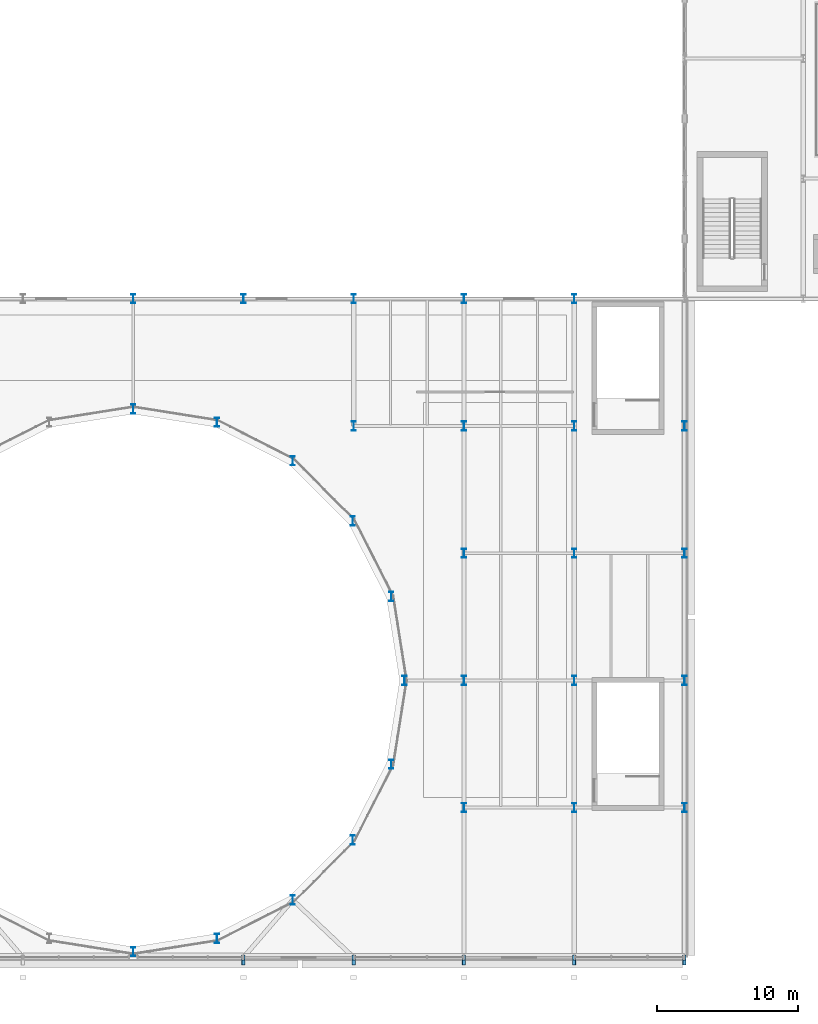
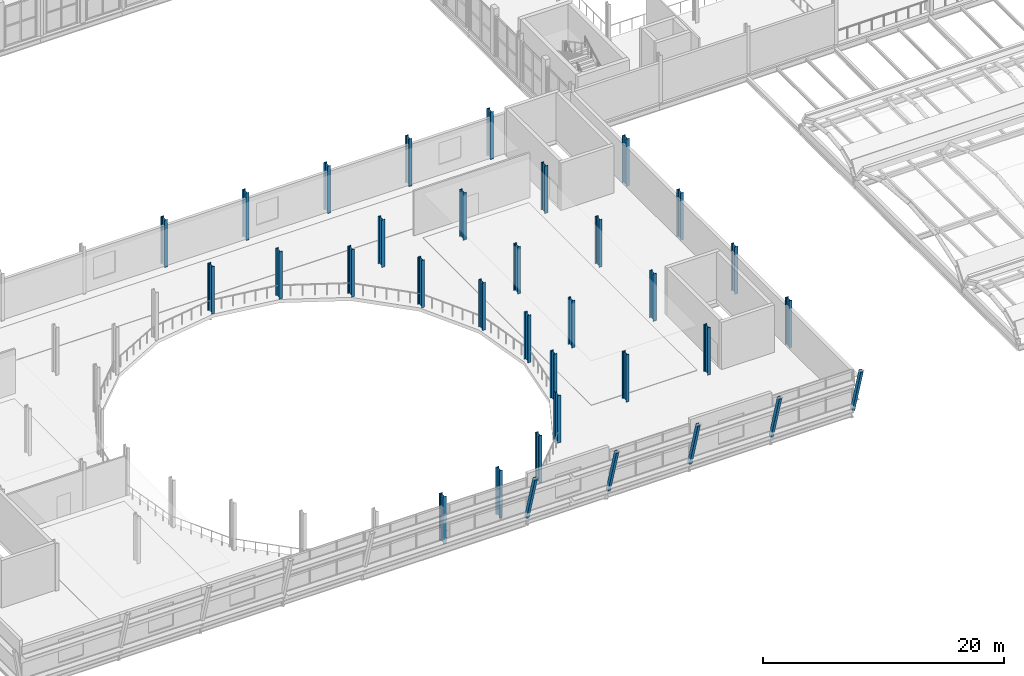
# One storey, part 4 of 63: 34 columns.
"""IFC4 building model written with IfcOpenShell, lengths in metres."""

import ifcopenshell
import ifcopenshell.guid

model = None  # the IFC model being written
_history = None  # IfcOwnerHistory: only IFC2X3 demands one
_inside = {}  # id of a spatial element -> (the spatial element, [elements in it])
_under = {}  # id of a project, library or spatial element -> (it, [spatial elements below it])
_declared = {}  # id of a project -> (the project, [libraries it declares])
_typed = {}  # id of a type object -> (the type object, [elements of that type])
_made_of = {}  # id of a material, layer set ... -> (it, [elements and type objects made of it])


def new_model(schema):
    """Start an empty IFC model of exactly this schema.

    Asked for "IFC4X3", IfcOpenShell would pick the latest addendum, in which some entities
    have other attributes; the version numbers below select the first issue.
    IFC2X3 requires an IfcOwnerHistory on every rooted entity: one is made here for all.
    """
    global model, _history
    if schema == "IFC4X3":
        model = ifcopenshell.file(schema_version=(4, 3, 0, 0))
    else:
        model = ifcopenshell.file(schema=schema)
    _inside.clear()
    _under.clear()
    _declared.clear()
    _typed.clear()
    _made_of.clear()
    _history = None
    if model.schema == "IFC2X3":
        org = make("IfcOrganization", Name="unknown")
        user = make(
            "IfcPersonAndOrganization",
            ThePerson=make("IfcPerson", FamilyName="unknown"),
            TheOrganization=org,
        )
        app = make(
            "IfcApplication",
            ApplicationDeveloper=org,
            Version="unknown",
            ApplicationFullName="unknown",
            ApplicationIdentifier="unknown",
        )
        _history = make(
            "IfcOwnerHistory",
            OwningUser=user,
            OwningApplication=app,
            ChangeAction="ADDED",
            CreationDate=0,
        )
    return model


def make(cls, **values):
    """One entity of the class cls with the attributes given. An attribute that is None is left unset."""
    return model.create_entity(
        cls, **{name: value for name, value in values.items() if value is not None}
    )


def rooted(cls, **values):
    """An entity with a GlobalId (a new one), such as an element, a storey or a relation."""
    return make(cls, GlobalId=ifcopenshell.guid.new(), OwnerHistory=_history, **values)


def si_unit(unit_type, name, prefix=None):
    """IfcSIUnit, for example si_unit("LENGTHUNIT", "METRE", prefix="MILLI")."""
    return make("IfcSIUnit", UnitType=unit_type, Prefix=prefix, Name=name)


def assignment(units):
    """IfcUnitAssignment: the units of a project."""
    return None if units is None else make("IfcUnitAssignment", Units=units)


def point(xyz):
    """IfcCartesianPoint."""
    return None if xyz is None else make("IfcCartesianPoint", Coordinates=xyz)


def direction(xyz):
    """IfcDirection."""
    return None if xyz is None else make("IfcDirection", DirectionRatios=xyz)


def frame(location, z_axis=None, x_axis=None):
    """IfcAxis2Placement3D, a coordinate frame: its origin and axes. An axis left out is left unset."""
    return make(
        "IfcAxis2Placement3D",
        Location=point(location),
        Axis=direction(z_axis),
        RefDirection=direction(x_axis),
    )


def frame_2d(location, x_axis=None):
    """IfcAxis2Placement2D, a coordinate frame in the plane: its origin and x axis."""
    return make(
        "IfcAxis2Placement2D", Location=point(location), RefDirection=direction(x_axis)
    )


def origin():
    """The frame at (0, 0, 0) with its axes left unset."""
    return frame((0.0, 0.0, 0.0))


def origin_2d():
    """The frame at (0, 0) in the plane with its x axis left unset."""
    return frame_2d((0.0, 0.0))


def place(relative_to, where):
    """IfcLocalPlacement: puts the frame where relative to a parent placement (None: the world)."""
    return make(
        "IfcLocalPlacement", PlacementRelTo=relative_to, RelativePlacement=where
    )


def context(
    kind, dimensions, precision=None, world=None, true_north=None, identifier=None
):
    """IfcGeometricRepresentationContext, for example the 3D "Model" context."""
    return make(
        "IfcGeometricRepresentationContext",
        ContextIdentifier=identifier,
        ContextType=kind,
        CoordinateSpaceDimension=dimensions,
        Precision=precision,
        WorldCoordinateSystem=world,
        TrueNorth=true_north,
    )


def subcontext(parent, identifier, kind, view, scale=None):
    """IfcGeometricRepresentationSubContext, for example "Body" below "Model"."""
    return make(
        "IfcGeometricRepresentationSubContext",
        ContextIdentifier=identifier,
        ContextType=kind,
        ParentContext=parent,
        TargetScale=scale,
        TargetView=view,
    )


def project(units=None, contexts=None):
    """IfcProject with its units and contexts."""
    return rooted(
        "IfcProject",
        Name="project",
        RepresentationContexts=contexts,
        UnitsInContext=assignment(units),
    )


def spatial(cls, under=None, at=None, **own):
    """A site, building, storey or space (cls), placed at a placement, below another one or the project."""
    s = rooted(cls, ObjectPlacement=at, **own)
    if under is not None:
        _under.setdefault(under.id(), (under, []))[1].append(s)
    return s


def profile(cls, at=None, kind="AREA", **sizes):
    """A parametric profile (cls). Its sizes go by their IFC names, for example OverallWidth=200.0."""
    return make(cls, ProfileType=kind, Position=at, **sizes)


def hollow_rectangle(**sizes):
    """IfcRectangleHollowProfileDef."""
    return profile("IfcRectangleHollowProfileDef", **sizes)


def i_section(**sizes):
    """IfcIShapeProfileDef."""
    return profile("IfcIShapeProfileDef", **sizes)


def extrude(swept, where, along, depth):
    """IfcExtrudedAreaSolid: the profile swept, set in the frame where, extruded along a direction by depth."""
    return make(
        "IfcExtrudedAreaSolid",
        SweptArea=swept,
        Position=where,
        ExtrudedDirection=direction(along),
        Depth=depth,
    )


def shape(context_of_items, identifier, shape_type, items):
    """IfcShapeRepresentation: the items that make up one representation, for example the "Body"."""
    return make(
        "IfcShapeRepresentation",
        ContextOfItems=context_of_items,
        RepresentationIdentifier=identifier,
        RepresentationType=shape_type,
        Items=items,
    )


def material(Name=None, Category=None):
    """IfcMaterial."""
    return make("IfcMaterial", Name=Name, Category=Category)


def material_profile(
    of_material, cross_section, Name=None, Category=None, Priority=None
):
    """IfcMaterialProfile: a cross section and its material."""
    return make(
        "IfcMaterialProfile",
        Name=Name,
        Material=of_material,
        Profile=cross_section,
        Priority=Priority,
        Category=Category,
    )


def profile_set(profiles, Name=None, composite=None):
    """IfcMaterialProfileSet."""
    return make(
        "IfcMaterialProfileSet",
        Name=Name,
        MaterialProfiles=profiles,
        CompositeProfile=composite,
    )


def made_of(thing, what):
    """Note that an element or type object is made of a material, layer set ...; save() writes the relation."""
    if what is not None:
        _made_of.setdefault(what.id(), (what, []))[1].append(thing)
    return thing


def type_object(cls, material=None, **own):
    """A type object (cls), such as IfcWallType, which elements share."""
    return made_of(rooted(cls, **own), material)


def element(
    cls,
    number,
    at=None,
    inside=None,
    cuts=None,
    type_object=None,
    material=None,
    context=None,
    identifier="Body",
    shape_type=None,
    held_by="IfcProductDefinitionShape",
    body=None,
    shapes=None,
    **own,
):
    """One element of the class cls, such as IfcWall. Its Tag is "e" and its number.

    at: its placement. inside: the storey or other place that contains it. cuts: it is an
    opening in that element (IfcRelVoidsElement). A single representation is given by context,
    identifier, shape_type and body (its items); several are given by shapes. held_by: the class
    of the entity that holds the representations. save() writes the other relations.
    """
    e = rooted(cls, Tag="e%d" % number, ObjectPlacement=at, **own)
    if body is not None:
        shapes = [shape(context, identifier, shape_type, body)]
    if shapes is not None:
        e.Representation = make(held_by, Representations=shapes)
    if inside is not None:
        _inside.setdefault(inside.id(), (inside, []))[1].append(e)
    if cuts is not None:
        rooted(
            "IfcRelVoidsElement", RelatingBuildingElement=cuts, RelatedOpeningElement=e
        )
    if type_object is not None:
        _typed.setdefault(type_object.id(), (type_object, []))[1].append(e)
    return made_of(e, material)


def aggregate(whole, parts):
    """IfcRelAggregates: a whole, such as a stair, and the parts it consists of."""
    return rooted("IfcRelAggregates", RelatingObject=whole, RelatedObjects=parts)


def save(model, path):
    """Write the relations noted so far, then the file.

    IfcRelAggregates (storeys below a building ...), IfcRelContainedInSpatialStructure (elements
    in a storey), IfcRelDefinesByType, IfcRelAssociatesMaterial and IfcRelDeclares: one each for
    every whole, place, type object, material and project.
    """
    for whole, parts in _under.values():
        aggregate(whole, parts)
    for where, things in _inside.values():
        rooted(
            "IfcRelContainedInSpatialStructure",
            RelatedElements=things,
            RelatingStructure=where,
        )
    for kind, things in _typed.values():
        rooted("IfcRelDefinesByType", RelatedObjects=things, RelatingType=kind)
    for what, things in _made_of.values():
        rooted("IfcRelAssociatesMaterial", RelatedObjects=things, RelatingMaterial=what)
    for by, libraries in _declared.values():
        rooted("IfcRelDeclares", RelatingContext=by, RelatedDefinitions=libraries)
    model.write(path)


model = new_model("IFC4")

# Units and contexts
model_context = context("Model", 3, precision=1e-05, world=origin(), true_north=direction((0.0, 1.0)))
body_context = subcontext(model_context, "Body", "Model", "MODEL_VIEW")
ifc_project = project(units=[si_unit("LENGTHUNIT", "METRE"), si_unit("AREAUNIT", "SQUARE_METRE"), si_unit("VOLUMEUNIT", "CUBIC_METRE"), si_unit("PLANEANGLEUNIT", "RADIAN"), si_unit("MASSUNIT", "GRAM", prefix="KILO")], contexts=[model_context])

# Site, building, storey
site_placement = place(None, origin())
site = spatial("IfcSite", under=ifc_project, at=site_placement, CompositionType="ELEMENT")
building_placement = place(site_placement, origin())
building = spatial("IfcBuilding", under=site, at=building_placement, Name="Sefraquen Railside Congress Hotel", CompositionType="ELEMENT")
storey_placement = place(building_placement, frame((0.0, 0.0, 11.39990234375)))
storey = spatial("IfcBuildingStorey", under=building, at=storey_placement, Name="L02", CompositionType="ELEMENT", Elevation=11.39990234375)

# Columns
ifc_material_1 = material(Name="Steel S355JR", Category="steel")
ifc_material_profile_1 = material_profile(ifc_material_1, i_section(OverallWidth=0.300048828125, OverallDepth=0.64990234375, WebThickness=0.01611328125, FlangeThickness=0.031005859375, FilletRadius=0.027099609375, at=origin_2d()), Name="HEB 650")
ifc_profile_set_1 = profile_set([ifc_material_profile_1], Name="Steel S355JR")
column_type_1 = type_object("IfcColumnType", Name="TC-HEB-650", PredefinedType="COLUMN", material=ifc_profile_set_1)
for number, where, z_axis, x_axis, name in (
    (1, (64.199951171875, 54.0, 0.0), (0.0, 0.0, 1.0), (1.0, 0.0, 0.0), "Structural column 9-G L02"),
    (2, (72.0, 54.0, 0.0), (0.0, 0.0, 1.0), (1.0, 0.0, 0.0), "Structural column 10-G L02"),
    (3, (79.800048828125, 45.0, 0.0), (0.0, 0.0, 1.0), (1.0, 0.0, 0.0), "Structural column 11-F L02"),
    (4, (79.800048828125, 54.0, 0.0), (0.0, 0.0, 1.0), (1.0, 0.0, 0.0), "Structural column 11-G L02"),
    (5, (87.60009765625, 18.0, 0.0), (0.0, 0.0, 1.0), (1.0, 0.0, 0.0), "Structural column 12-C L02"),
    (6, (87.60009765625, 27.0, 0.0), (0.0, 0.0, 1.0), (1.0, 0.0, 0.0), "Structural column 12-D L02"),
    (7, (87.60009765625, 36.0, 0.0), (0.0, 0.0, 1.0), (1.0, 0.0, 0.0), "Structural column 12-E L02"),
    (8, (87.60009765625, 45.0, 0.0), (0.0, 0.0, 1.0), (1.0, 0.0, 0.0), "Structural column 12-F L02"),
    (9, (87.60009765625, 54.0, 0.0), (0.0, 0.0, 1.0), (1.0, 0.0, 0.0), "Structural column 12-G L02"),
    (10, (95.39990234375, 18.0, 0.0), (0.0, 0.0, 1.0), (1.0, 0.0, 0.0), "Structural column 13-C L02"),
    (11, (95.39990234375, 27.0, 0.0), (0.0, 0.0, 1.0), (1.0, 0.0, 0.0), "Structural column 13-D L02"),
    (12, (95.39990234375, 36.0, 0.0), (0.0, 0.0, 1.0), (1.0, 0.0, 0.0), "Structural column 13-E L02"),
    (13, (95.39990234375, 45.0, 0.0), (0.0, 0.0, 1.0), (1.0, 0.0, 0.0), "Structural column 13-F L02"),
    (14, (95.39990234375, 54.0, 0.0), (0.0, 0.0, 1.0), (1.0, 0.0, 0.0), "Structural column 13-G L02"),
    (15, (103.199951171875, 18.0, 0.0), (0.0, 0.0, 1.0), (1.0, 0.0, 0.0), "Structural column 14-C L02"),
    (16, (103.199951171875, 27.0, 0.0), (0.0, 0.0, 1.0), (1.0, 0.0, 0.0), "Structural column 14-D L02"),
    (17, (103.199951171875, 36.0, 0.0), (0.0, 0.0, 1.0), (1.0, 0.0, 0.0), "Structural column 14-E L02"),
    (18, (103.199951171875, 45.0, 0.0), (0.0, 0.0, 1.0), (1.0, 0.0, 0.0), "Structural column 14-F L02"),
    (19, (83.39990234375, 27.0, 0.0), (0.0, 0.0, 1.0), (1.0, 0.0, 0.0), "Structural column DRM-01 L02"),
    (20, (82.460205078125, 32.93310546875, 0.0), (0.0, 0.0, 1.0), (1.0, 0.0, 0.0), "Structural column DRM-02 L02"),
    (21, (79.733154296875, 38.285400390625, 0.0), (0.0, 0.0, 1.0), (1.0, 0.0, 0.0), "Structural column DRM-03 L02"),
    (22, (75.485595703125, 42.533203125, 0.0), (0.0, 0.0, 1.0), (1.0, 0.0, 0.0), "Structural column DRM-04 L02"),
    (23, (70.133056640625, 45.26025390625, 0.0), (0.0, 0.0, 1.0), (1.0, 0.0, 0.0), "Structural column DRM-05 L02"),
    (24, (64.199951171875, 46.199951171875, 0.0), (0.0, 0.0, 1.0), (1.0, 0.0, 0.0), "Structural column DRM-06 L02"),
    (25, (64.199951171875, 7.800048828125, 0.0), (0.0, 0.0, 1.0), (1.0, 0.0, 0.0), "Structural column DRM-16 L02"),
    (26, (70.133056640625, 8.73974609375, 0.0), (0.0, 0.0, 1.0), (1.0, 0.0, 0.0), "Structural column DRM-17 L02"),
    (27, (75.485595703125, 11.466796875, 0.0), (0.0, 0.0, 1.0), (1.0, 0.0, 0.0), "Structural column DRM-18 L02"),
    (28, (79.733154296875, 15.714599609375, 0.0), (0.0, 0.0, 1.0), (1.0, 0.0, 0.0), "Structural column DRM-19 L02"),
    (29, (82.460205078125, 21.06689453125, 0.0), (0.0, 0.0, 1.0), (1.0, 0.0, 0.0), "Structural column DRM-20 L02"),
):
    element("IfcColumn", number, at=place(storey_placement, frame(where, z_axis=z_axis, x_axis=x_axis)), inside=storey, type_object=column_type_1, Name=name, PredefinedType="COLUMN", context=body_context, shape_type="SweptSolid", body=[
        extrude(i_section(OverallWidth=0.300048828125, OverallDepth=0.64990234375, WebThickness=0.01611328125, FlangeThickness=0.031005859375, FilletRadius=0.027099609375, at=origin_2d()), origin(), (0.0, 0.0, 1.0), 4.800048828125),
    ])
ifc_material_2 = material(Name="Steel S355J2", Category="steel")
ifc_material_profile_2 = material_profile(ifc_material_2, hollow_rectangle(XDim=0.25, YDim=0.35009765625, WallThickness=0.01611328125, at=origin_2d()), Name="RHS 350x250x16")
ifc_profile_set_2 = profile_set([ifc_material_profile_2], Name="Steel S355J2")
column_type_2 = type_object("IfcColumnType", Name="TC-INC-600", PredefinedType="USERDEFINED", material=ifc_profile_set_2)
for number, where, z_axis, x_axis, name in (
    (30, (72.0, 7.400390625, 0.004150390625), (0.0, -0.284247854023, 0.958750831803), (1.0, 0.0, 0.0), "Inclined Congress hull column S-10 L02"),
    (31, (79.800048828125, 7.400390625, 0.004150390625), (0.0, -0.284247854023, 0.958750831803), (1.0, 0.0, 0.0), "Inclined Congress hull column S-11 L02"),
    (32, (87.60009765625, 7.400390625, 0.004150390625), (0.0, -0.284247854023, 0.958750831803), (1.0, 0.0, 0.0), "Inclined Congress hull column S-12 L02"),
    (33, (95.39990234375, 7.400390625, 0.004150390625), (0.0, -0.284247854023, 0.958750831803), (1.0, 0.0, 0.0), "Inclined Congress hull column S-13 L02"),
    (34, (103.199951171875, 7.400390625, 0.004150390625), (0.0, -0.284247854023, 0.958750831803), (1.0, 0.0, 0.0), "Inclined Congress hull column S-14 L02"),
):
    element("IfcColumn", number, at=place(storey_placement, frame(where, z_axis=z_axis, x_axis=x_axis)), inside=storey, type_object=column_type_2, Name=name, ObjectType="INCLINED COLUMN", PredefinedType="USERDEFINED", context=body_context, shape_type="SweptSolid", body=[
        extrude(hollow_rectangle(XDim=0.25, YDim=0.35009765625, WallThickness=0.01611328125, at=origin_2d()), origin(), (0.0, 0.0, 1.0), 5.002197265625),
    ])

save(model, "model.ifc")
